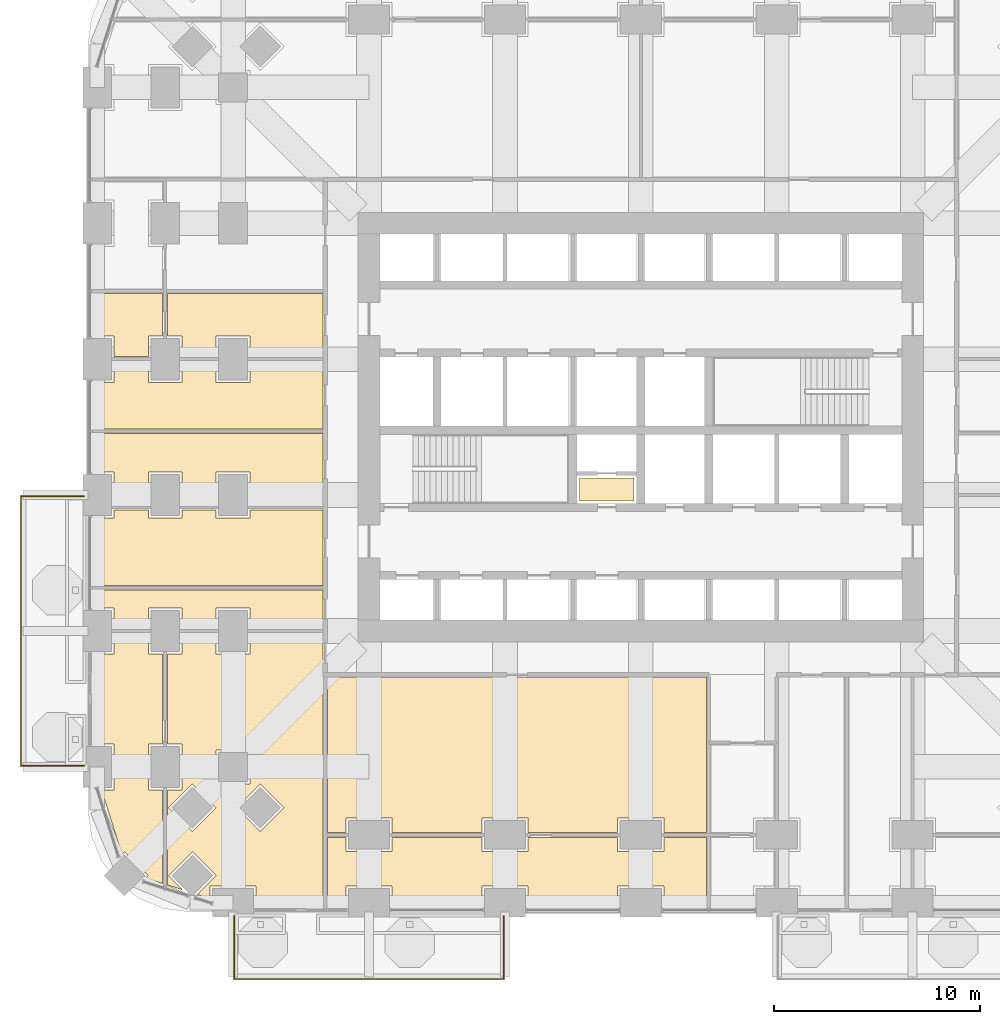
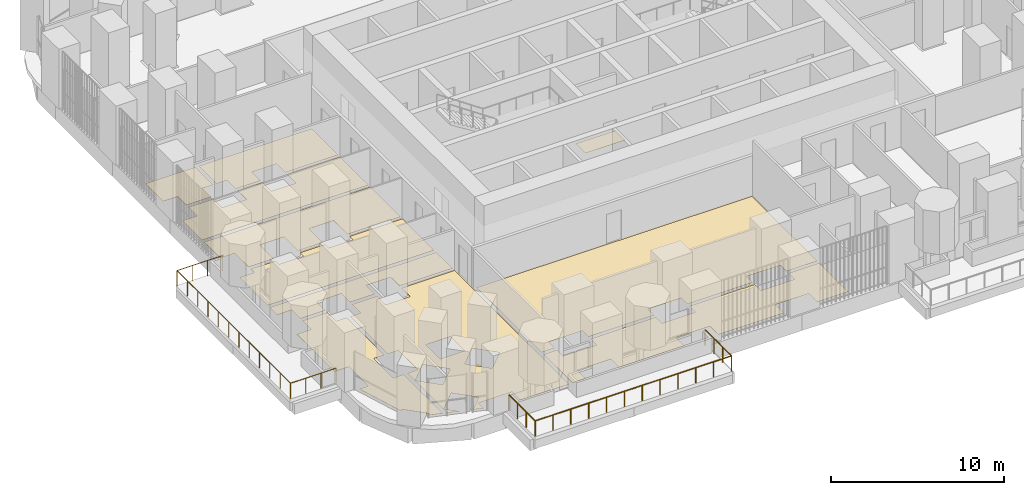
# One storey, part 21 of 25: 11 coverings, 2 railings.
"""IFC4 building model written with IfcOpenShell, lengths in metres."""

from ifc_helpers import new_model, si_unit, direction, frame, origin, place, context, subcontext, project, spatial, polyline, outline, extrude, material, layer, layer_set, type_object, element, save


model = new_model("IFC4")

# Units and contexts
model_context = context("Model", 3, precision=1e-05, world=origin(), true_north=direction((0.0, 1.0)))
body_context = subcontext(model_context, "Body", "Model", "MODEL_VIEW")
ifc_project = project(units=[si_unit("LENGTHUNIT", "METRE"), si_unit("AREAUNIT", "SQUARE_METRE"), si_unit("VOLUMEUNIT", "CUBIC_METRE"), si_unit("PLANEANGLEUNIT", "RADIAN"), si_unit("MASSUNIT", "GRAM", prefix="KILO")], contexts=[model_context])

# Site, building, storey
site_placement = place(None, origin())
site = spatial("IfcSite", under=ifc_project, at=site_placement, CompositionType="ELEMENT")
building_placement = place(site_placement, origin())
building = spatial("IfcBuilding", under=site, at=building_placement, Name="Cobogo Forest Laboratory Tower", CompositionType="ELEMENT")
storey_placement = place(building_placement, frame((0.0, 0.0, 21.300048828125)))
storey = spatial("IfcBuildingStorey", under=building, at=storey_placement, Name="L04", CompositionType="ELEMENT", Elevation=21.300048828125)

# Railings
ifc_material_1 = material(Name="Laminated glass balustrade", Category="glass")
railing_type = type_object("IfcRailingType", Name="BG1 glass balustrade 1100", PredefinedType="GUARDRAIL", material=ifc_material_1)
railing_1_placement = place(storey_placement, frame((6.64990234375, -0.64990234375, 0.0)))
element("IfcRailing", 1, at=railing_1_placement, inside=storey, type_object=railing_type, Name="Balcony balustrade BAL-S1 L04", PredefinedType="GUARDRAIL", context=body_context, shape_type="SweptSolid", body=[
    extrude(outline(polyline([(0.022216796875, 0.00927734375), (0.00927734375, 0.022216796875), (-0.00927734375, 0.022216796875), (-0.022216796875, 0.00927734375), (-0.022216796875, -0.00927734375), (-0.00927734375, -0.022216796875), (0.00927734375, -0.022216796875), (0.022216796875, -0.00927734375), (0.022216796875, 0.00927734375)])), frame((0.0, 0.0, 1.077880859375), z_axis=(0.0, -1.0, 0.0), x_axis=(1.0, 0.0, 0.0)), (0.0, 0.0, 1.0), 3.050048828125),
    extrude(outline(polyline([(0.022216796875, 0.00927734375), (0.00927734375, 0.022216796875), (-0.00927734375, 0.022216796875), (-0.022216796875, 0.00927734375), (-0.022216796875, -0.00927734375), (-0.00927734375, -0.022216796875), (0.00927734375, -0.022216796875), (0.022216796875, -0.00927734375), (0.022216796875, 0.00927734375)])), frame((0.0, -3.050048828125, 1.077880859375), z_axis=(1.0, 0.0, 0.0), x_axis=(0.0, 1.0, 0.0)), (0.0, 0.0, 1.0), 13.10009765625),
    extrude(outline(polyline([(0.022216796875, 0.00927734375), (0.00927734375, 0.022216796875), (-0.00927734375, 0.022216796875), (-0.022216796875, 0.00927734375), (-0.022216796875, -0.00927734375), (-0.00927734375, -0.022216796875), (0.00927734375, -0.022216796875), (0.022216796875, -0.00927734375), (0.022216796875, 0.00927734375)])), frame((13.10009765625, -3.050048828125, 1.077880859375), z_axis=(0.0, 1.0, 0.0), x_axis=(-1.0, 0.0, 0.0)), (0.0, 0.0, 1.0), 3.050048828125),
    extrude(outline(polyline([(0.019287109375, 0.008056640625), (0.008056640625, 0.019287109375), (-0.008056640625, 0.019287109375), (-0.019287109375, 0.008056640625), (-0.019287109375, -0.008056640625), (-0.008056640625, -0.019287109375), (0.008056640625, -0.019287109375), (0.019287109375, -0.008056640625), (0.019287109375, 0.008056640625)])), origin(), (0.0, 0.0, 1.0), 1.077880859375),
    extrude(outline(polyline([(0.019287109375, 0.008056640625), (0.008056640625, 0.019287109375), (-0.008056640625, 0.019287109375), (-0.019287109375, 0.008056640625), (-0.019287109375, -0.008056640625), (-0.008056640625, -0.019287109375), (0.008056640625, -0.019287109375), (0.019287109375, -0.008056640625), (0.019287109375, 0.008056640625)])), frame((0.0, -1.0166015625, 0.0)), (0.0, 0.0, 1.0), 1.077880859375),
    extrude(outline(polyline([(0.019287109375, 0.008056640625), (0.008056640625, 0.019287109375), (-0.008056640625, 0.019287109375), (-0.019287109375, 0.008056640625), (-0.019287109375, -0.008056640625), (-0.008056640625, -0.019287109375), (0.008056640625, -0.019287109375), (0.019287109375, -0.008056640625), (0.019287109375, 0.008056640625)])), frame((0.0, -2.033447265625, 0.0)), (0.0, 0.0, 1.0), 1.077880859375),
    extrude(outline(polyline([(0.019287109375, 0.008056640625), (0.008056640625, 0.019287109375), (-0.008056640625, 0.019287109375), (-0.019287109375, 0.008056640625), (-0.019287109375, -0.008056640625), (-0.008056640625, -0.019287109375), (0.008056640625, -0.019287109375), (0.019287109375, -0.008056640625), (0.019287109375, 0.008056640625)])), frame((0.0, -3.050048828125, 0.0)), (0.0, 0.0, 1.0), 1.077880859375),
    extrude(outline(polyline([(0.019287109375, 0.008056640625), (0.008056640625, 0.019287109375), (-0.008056640625, 0.019287109375), (-0.019287109375, 0.008056640625), (-0.019287109375, -0.008056640625), (-0.008056640625, -0.019287109375), (0.008056640625, -0.019287109375), (0.019287109375, -0.008056640625), (0.019287109375, 0.008056640625)])), frame((1.19091796875, -3.050048828125, 0.0)), (0.0, 0.0, 1.0), 1.077880859375),
    extrude(outline(polyline([(0.019287109375, 0.008056640625), (0.008056640625, 0.019287109375), (-0.008056640625, 0.019287109375), (-0.019287109375, 0.008056640625), (-0.019287109375, -0.008056640625), (-0.008056640625, -0.019287109375), (0.008056640625, -0.019287109375), (0.019287109375, -0.008056640625), (0.019287109375, 0.008056640625)])), frame((2.3818359375, -3.050048828125, 0.0)), (0.0, 0.0, 1.0), 1.077880859375),
    extrude(outline(polyline([(0.019287109375, 0.008056640625), (0.008056640625, 0.019287109375), (-0.008056640625, 0.019287109375), (-0.019287109375, 0.008056640625), (-0.019287109375, -0.008056640625), (-0.008056640625, -0.019287109375), (0.008056640625, -0.019287109375), (0.019287109375, -0.008056640625), (0.019287109375, 0.008056640625)])), frame((3.57275390625, -3.050048828125, 0.0)), (0.0, 0.0, 1.0), 1.077880859375),
    extrude(outline(polyline([(0.019287109375, 0.008056640625), (0.008056640625, 0.019287109375), (-0.008056640625, 0.019287109375), (-0.019287109375, 0.008056640625), (-0.019287109375, -0.008056640625), (-0.008056640625, -0.019287109375), (0.008056640625, -0.019287109375), (0.019287109375, -0.008056640625), (0.019287109375, 0.008056640625)])), frame((4.763671875, -3.050048828125, 0.0)), (0.0, 0.0, 1.0), 1.077880859375),
    extrude(outline(polyline([(0.019287109375, 0.008056640625), (0.008056640625, 0.019287109375), (-0.008056640625, 0.019287109375), (-0.019287109375, 0.008056640625), (-0.019287109375, -0.008056640625), (-0.008056640625, -0.019287109375), (0.008056640625, -0.019287109375), (0.019287109375, -0.008056640625), (0.019287109375, 0.008056640625)])), frame((5.95458984375, -3.050048828125, 0.0)), (0.0, 0.0, 1.0), 1.077880859375),
    extrude(outline(polyline([(0.019287109375, 0.008056640625), (0.008056640625, 0.019287109375), (-0.008056640625, 0.019287109375), (-0.019287109375, 0.008056640625), (-0.019287109375, -0.008056640625), (-0.008056640625, -0.019287109375), (0.008056640625, -0.019287109375), (0.019287109375, -0.008056640625), (0.019287109375, 0.008056640625)])), frame((7.1455078125, -3.050048828125, 0.0)), (0.0, 0.0, 1.0), 1.077880859375),
    extrude(outline(polyline([(0.019287109375, 0.008056640625), (0.008056640625, 0.019287109375), (-0.008056640625, 0.019287109375), (-0.019287109375, 0.008056640625), (-0.019287109375, -0.008056640625), (-0.008056640625, -0.019287109375), (0.008056640625, -0.019287109375), (0.019287109375, -0.008056640625), (0.019287109375, 0.008056640625)])), frame((8.33642578125, -3.050048828125, 0.0)), (0.0, 0.0, 1.0), 1.077880859375),
    extrude(outline(polyline([(0.019287109375, 0.008056640625), (0.008056640625, 0.019287109375), (-0.008056640625, 0.019287109375), (-0.019287109375, 0.008056640625), (-0.019287109375, -0.008056640625), (-0.008056640625, -0.019287109375), (0.008056640625, -0.019287109375), (0.019287109375, -0.008056640625), (0.019287109375, 0.008056640625)])), frame((9.52734375, -3.050048828125, 0.0)), (0.0, 0.0, 1.0), 1.077880859375),
    extrude(outline(polyline([(0.019287109375, 0.008056640625), (0.008056640625, 0.019287109375), (-0.008056640625, 0.019287109375), (-0.019287109375, 0.008056640625), (-0.019287109375, -0.008056640625), (-0.008056640625, -0.019287109375), (0.008056640625, -0.019287109375), (0.019287109375, -0.008056640625), (0.019287109375, 0.008056640625)])), frame((10.71826171875, -3.050048828125, 0.0)), (0.0, 0.0, 1.0), 1.077880859375),
    extrude(outline(polyline([(0.019287109375, 0.008056640625), (0.008056640625, 0.019287109375), (-0.008056640625, 0.019287109375), (-0.019287109375, 0.008056640625), (-0.019287109375, -0.008056640625), (-0.008056640625, -0.019287109375), (0.008056640625, -0.019287109375), (0.019287109375, -0.008056640625), (0.019287109375, 0.008056640625)])), frame((11.9091796875, -3.050048828125, 0.0)), (0.0, 0.0, 1.0), 1.077880859375),
    extrude(outline(polyline([(0.019287109375, 0.008056640625), (0.008056640625, 0.019287109375), (-0.008056640625, 0.019287109375), (-0.019287109375, 0.008056640625), (-0.019287109375, -0.008056640625), (-0.008056640625, -0.019287109375), (0.008056640625, -0.019287109375), (0.019287109375, -0.008056640625), (0.019287109375, 0.008056640625)])), frame((13.10009765625, -3.050048828125, 0.0)), (0.0, 0.0, 1.0), 1.077880859375),
    extrude(outline(polyline([(0.019287109375, 0.008056640625), (0.008056640625, 0.019287109375), (-0.008056640625, 0.019287109375), (-0.019287109375, 0.008056640625), (-0.019287109375, -0.008056640625), (-0.008056640625, -0.019287109375), (0.008056640625, -0.019287109375), (0.019287109375, -0.008056640625), (0.019287109375, 0.008056640625)])), frame((13.10009765625, -2.033447265625, 0.0)), (0.0, 0.0, 1.0), 1.077880859375),
    extrude(outline(polyline([(0.019287109375, 0.008056640625), (0.008056640625, 0.019287109375), (-0.008056640625, 0.019287109375), (-0.019287109375, 0.008056640625), (-0.019287109375, -0.008056640625), (-0.008056640625, -0.019287109375), (0.008056640625, -0.019287109375), (0.019287109375, -0.008056640625), (0.019287109375, 0.008056640625)])), frame((13.10009765625, -1.0166015625, 0.0)), (0.0, 0.0, 1.0), 1.077880859375),
    extrude(outline(polyline([(0.019287109375, 0.008056640625), (0.008056640625, 0.019287109375), (-0.008056640625, 0.019287109375), (-0.019287109375, 0.008056640625), (-0.019287109375, -0.008056640625), (-0.008056640625, -0.019287109375), (0.008056640625, -0.019287109375), (0.019287109375, -0.008056640625), (0.019287109375, 0.008056640625)])), frame((13.10009765625, 0.0, 0.0)), (0.0, 0.0, 1.0), 1.077880859375),
])
railing_2_placement = place(storey_placement, frame((-0.64990234375, 6.64990234375, 0.0)))
element("IfcRailing", 2, at=railing_2_placement, inside=storey, type_object=railing_type, Name="Balcony balustrade BAL-W1 L04", PredefinedType="GUARDRAIL", context=body_context, shape_type="SweptSolid", body=[
    extrude(outline(polyline([(0.022216796875, 0.00927734375), (0.00927734375, 0.022216796875), (-0.00927734375, 0.022216796875), (-0.022216796875, 0.00927734375), (-0.022216796875, -0.00927734375), (-0.00927734375, -0.022216796875), (0.00927734375, -0.022216796875), (0.022216796875, -0.00927734375), (0.022216796875, 0.00927734375)])), frame((0.0, 0.0, 1.077880859375), z_axis=(-1.0, 0.0, 0.0), x_axis=(0.0, -1.0, 0.0)), (0.0, 0.0, 1.0), 3.050048828125),
    extrude(outline(polyline([(0.022216796875, 0.00927734375), (0.00927734375, 0.022216796875), (-0.00927734375, 0.022216796875), (-0.022216796875, 0.00927734375), (-0.022216796875, -0.00927734375), (-0.00927734375, -0.022216796875), (0.00927734375, -0.022216796875), (0.022216796875, -0.00927734375), (0.022216796875, 0.00927734375)])), frame((-3.050048828125, 0.0, 1.077880859375), z_axis=(0.0, 1.0, 0.0), x_axis=(-1.0, 0.0, 0.0)), (0.0, 0.0, 1.0), 13.10009765625),
    extrude(outline(polyline([(0.022216796875, 0.00927734375), (0.00927734375, 0.022216796875), (-0.00927734375, 0.022216796875), (-0.022216796875, 0.00927734375), (-0.022216796875, -0.00927734375), (-0.00927734375, -0.022216796875), (0.00927734375, -0.022216796875), (0.022216796875, -0.00927734375), (0.022216796875, 0.00927734375)])), frame((-3.050048828125, 13.10009765625, 1.077880859375), z_axis=(1.0, 0.0, 0.0), x_axis=(0.0, 1.0, 0.0)), (0.0, 0.0, 1.0), 3.050048828125),
    extrude(outline(polyline([(0.019287109375, 0.008056640625), (0.008056640625, 0.019287109375), (-0.008056640625, 0.019287109375), (-0.019287109375, 0.008056640625), (-0.019287109375, -0.008056640625), (-0.008056640625, -0.019287109375), (0.008056640625, -0.019287109375), (0.019287109375, -0.008056640625), (0.019287109375, 0.008056640625)])), origin(), (0.0, 0.0, 1.0), 1.077880859375),
    extrude(outline(polyline([(0.019287109375, 0.008056640625), (0.008056640625, 0.019287109375), (-0.008056640625, 0.019287109375), (-0.019287109375, 0.008056640625), (-0.019287109375, -0.008056640625), (-0.008056640625, -0.019287109375), (0.008056640625, -0.019287109375), (0.019287109375, -0.008056640625), (0.019287109375, 0.008056640625)])), frame((-1.0166015625, 0.0, 0.0)), (0.0, 0.0, 1.0), 1.077880859375),
    extrude(outline(polyline([(0.019287109375, 0.008056640625), (0.008056640625, 0.019287109375), (-0.008056640625, 0.019287109375), (-0.019287109375, 0.008056640625), (-0.019287109375, -0.008056640625), (-0.008056640625, -0.019287109375), (0.008056640625, -0.019287109375), (0.019287109375, -0.008056640625), (0.019287109375, 0.008056640625)])), frame((-2.033447265625, 0.0, 0.0)), (0.0, 0.0, 1.0), 1.077880859375),
    extrude(outline(polyline([(0.019287109375, 0.008056640625), (0.008056640625, 0.019287109375), (-0.008056640625, 0.019287109375), (-0.019287109375, 0.008056640625), (-0.019287109375, -0.008056640625), (-0.008056640625, -0.019287109375), (0.008056640625, -0.019287109375), (0.019287109375, -0.008056640625), (0.019287109375, 0.008056640625)])), frame((-3.050048828125, 0.0, 0.0)), (0.0, 0.0, 1.0), 1.077880859375),
    extrude(outline(polyline([(0.019287109375, 0.008056640625), (0.008056640625, 0.019287109375), (-0.008056640625, 0.019287109375), (-0.019287109375, 0.008056640625), (-0.019287109375, -0.008056640625), (-0.008056640625, -0.019287109375), (0.008056640625, -0.019287109375), (0.019287109375, -0.008056640625), (0.019287109375, 0.008056640625)])), frame((-3.050048828125, 1.19091796875, 0.0)), (0.0, 0.0, 1.0), 1.077880859375),
    extrude(outline(polyline([(0.019287109375, 0.008056640625), (0.008056640625, 0.019287109375), (-0.008056640625, 0.019287109375), (-0.019287109375, 0.008056640625), (-0.019287109375, -0.008056640625), (-0.008056640625, -0.019287109375), (0.008056640625, -0.019287109375), (0.019287109375, -0.008056640625), (0.019287109375, 0.008056640625)])), frame((-3.050048828125, 2.3818359375, 0.0)), (0.0, 0.0, 1.0), 1.077880859375),
    extrude(outline(polyline([(0.019287109375, 0.008056640625), (0.008056640625, 0.019287109375), (-0.008056640625, 0.019287109375), (-0.019287109375, 0.008056640625), (-0.019287109375, -0.008056640625), (-0.008056640625, -0.019287109375), (0.008056640625, -0.019287109375), (0.019287109375, -0.008056640625), (0.019287109375, 0.008056640625)])), frame((-3.050048828125, 3.57275390625, 0.0)), (0.0, 0.0, 1.0), 1.077880859375),
    extrude(outline(polyline([(0.019287109375, 0.008056640625), (0.008056640625, 0.019287109375), (-0.008056640625, 0.019287109375), (-0.019287109375, 0.008056640625), (-0.019287109375, -0.008056640625), (-0.008056640625, -0.019287109375), (0.008056640625, -0.019287109375), (0.019287109375, -0.008056640625), (0.019287109375, 0.008056640625)])), frame((-3.050048828125, 4.763671875, 0.0)), (0.0, 0.0, 1.0), 1.077880859375),
    extrude(outline(polyline([(0.019287109375, 0.008056640625), (0.008056640625, 0.019287109375), (-0.008056640625, 0.019287109375), (-0.019287109375, 0.008056640625), (-0.019287109375, -0.008056640625), (-0.008056640625, -0.019287109375), (0.008056640625, -0.019287109375), (0.019287109375, -0.008056640625), (0.019287109375, 0.008056640625)])), frame((-3.050048828125, 5.95458984375, 0.0)), (0.0, 0.0, 1.0), 1.077880859375),
    extrude(outline(polyline([(0.019287109375, 0.008056640625), (0.008056640625, 0.019287109375), (-0.008056640625, 0.019287109375), (-0.019287109375, 0.008056640625), (-0.019287109375, -0.008056640625), (-0.008056640625, -0.019287109375), (0.008056640625, -0.019287109375), (0.019287109375, -0.008056640625), (0.019287109375, 0.008056640625)])), frame((-3.050048828125, 7.1455078125, 0.0)), (0.0, 0.0, 1.0), 1.077880859375),
    extrude(outline(polyline([(0.019287109375, 0.008056640625), (0.008056640625, 0.019287109375), (-0.008056640625, 0.019287109375), (-0.019287109375, 0.008056640625), (-0.019287109375, -0.008056640625), (-0.008056640625, -0.019287109375), (0.008056640625, -0.019287109375), (0.019287109375, -0.008056640625), (0.019287109375, 0.008056640625)])), frame((-3.050048828125, 8.33642578125, 0.0)), (0.0, 0.0, 1.0), 1.077880859375),
    extrude(outline(polyline([(0.019287109375, 0.008056640625), (0.008056640625, 0.019287109375), (-0.008056640625, 0.019287109375), (-0.019287109375, 0.008056640625), (-0.019287109375, -0.008056640625), (-0.008056640625, -0.019287109375), (0.008056640625, -0.019287109375), (0.019287109375, -0.008056640625), (0.019287109375, 0.008056640625)])), frame((-3.050048828125, 9.52734375, 0.0)), (0.0, 0.0, 1.0), 1.077880859375),
    extrude(outline(polyline([(0.019287109375, 0.008056640625), (0.008056640625, 0.019287109375), (-0.008056640625, 0.019287109375), (-0.019287109375, 0.008056640625), (-0.019287109375, -0.008056640625), (-0.008056640625, -0.019287109375), (0.008056640625, -0.019287109375), (0.019287109375, -0.008056640625), (0.019287109375, 0.008056640625)])), frame((-3.050048828125, 10.71826171875, 0.0)), (0.0, 0.0, 1.0), 1.077880859375),
    extrude(outline(polyline([(0.019287109375, 0.008056640625), (0.008056640625, 0.019287109375), (-0.008056640625, 0.019287109375), (-0.019287109375, 0.008056640625), (-0.019287109375, -0.008056640625), (-0.008056640625, -0.019287109375), (0.008056640625, -0.019287109375), (0.019287109375, -0.008056640625), (0.019287109375, 0.008056640625)])), frame((-3.050048828125, 11.9091796875, 0.0)), (0.0, 0.0, 1.0), 1.077880859375),
    extrude(outline(polyline([(0.019287109375, 0.008056640625), (0.008056640625, 0.019287109375), (-0.008056640625, 0.019287109375), (-0.019287109375, 0.008056640625), (-0.019287109375, -0.008056640625), (-0.008056640625, -0.019287109375), (0.008056640625, -0.019287109375), (0.019287109375, -0.008056640625), (0.019287109375, 0.008056640625)])), frame((-3.050048828125, 13.10009765625, 0.0)), (0.0, 0.0, 1.0), 1.077880859375),
    extrude(outline(polyline([(0.019287109375, 0.008056640625), (0.008056640625, 0.019287109375), (-0.008056640625, 0.019287109375), (-0.019287109375, 0.008056640625), (-0.019287109375, -0.008056640625), (-0.008056640625, -0.019287109375), (0.008056640625, -0.019287109375), (0.019287109375, -0.008056640625), (0.019287109375, 0.008056640625)])), frame((-2.033447265625, 13.10009765625, 0.0)), (0.0, 0.0, 1.0), 1.077880859375),
    extrude(outline(polyline([(0.019287109375, 0.008056640625), (0.008056640625, 0.019287109375), (-0.008056640625, 0.019287109375), (-0.019287109375, 0.008056640625), (-0.019287109375, -0.008056640625), (-0.008056640625, -0.019287109375), (0.008056640625, -0.019287109375), (0.019287109375, -0.008056640625), (0.019287109375, 0.008056640625)])), frame((-1.0166015625, 13.10009765625, 0.0)), (0.0, 0.0, 1.0), 1.077880859375),
    extrude(outline(polyline([(0.019287109375, 0.008056640625), (0.008056640625, 0.019287109375), (-0.008056640625, 0.019287109375), (-0.019287109375, 0.008056640625), (-0.019287109375, -0.008056640625), (-0.008056640625, -0.019287109375), (0.008056640625, -0.019287109375), (0.019287109375, -0.008056640625), (0.019287109375, 0.008056640625)])), frame((0.0, 13.10009765625, 0.0)), (0.0, 0.0, 1.0), 1.077880859375),
])

# Coverings
ifc_material_2 = material(Name="Carpet tile on raised access floor", Category="flooring")
ifc_layer_1 = layer(ifc_material_2, 0.008056640625)
ifc_layer_set_1 = layer_set([ifc_layer_1], Name="CT1 carpet tile floor 8")
covering_type_1 = type_object("IfcCoveringType", Name="CT1 carpet tile floor 8", PredefinedType="FLOORING", material=ifc_layer_set_1)
covering_1_placement = place(storey_placement, origin())
element("IfcCovering", 3, at=covering_1_placement, inside=storey, type_object=covering_type_1, Name="Carpet floor L04-02", PredefinedType="FLOORING", context=body_context, shape_type="SweptSolid", body=[
    extrude(outline(polyline([(12.080078125, 3.179931640625), (12.080078125, 2.47998046875), (14.320068359375, 2.47998046875), (14.320068359375, 3.179931640625), (18.679931640625, 3.179931640625), (18.679931640625, 2.47998046875), (20.919921875, 2.47998046875), (20.919921875, 3.179931640625), (25.280029296875, 3.179931640625), (25.280029296875, 2.47998046875), (27.52001953125, 2.47998046875), (27.52001953125, 3.179931640625), (29.580078125, 3.179931640625), (29.580078125, -0.14990234375), (27.52001953125, -0.14990234375), (27.52001953125, 0.820068359375), (25.280029296875, 0.820068359375), (25.280029296875, -0.14990234375), (20.919921875, -0.14990234375), (20.919921875, 0.820068359375), (18.679931640625, 0.820068359375), (18.679931640625, -0.14990234375), (14.320068359375, -0.14990234375), (14.320068359375, 0.820068359375), (12.080078125, 0.820068359375), (12.080078125, -0.14990234375), (11.195068359375, -0.14990234375), (11.195068359375, 3.179931640625), (12.080078125, 3.179931640625)])), origin(), (0.0, 0.0, 1.0), 0.008056640625),
])
covering_2_placement = place(storey_placement, origin())
element("IfcCovering", 4, at=covering_2_placement, inside=storey, type_object=covering_type_1, Name="Carpet floor L04-20", PredefinedType="FLOORING", context=body_context, shape_type="SweptSolid", body=[
    extrude(outline(polyline([(3.179931640625, 7.719970703125), (2.47998046875, 7.719970703125), (2.47998046875, 5.47998046875), (3.179931640625, 5.47998046875), (3.179931640625, 0.939697265625), (2.358642578125, 1.19921875), (2.477783203125, 1.318115234375), (1.318115234375, 2.477783203125), (1.19921875, 2.358642578125), (0.21337890625, 5.47998046875), (0.820068359375, 5.47998046875), (0.820068359375, 7.719970703125), (-0.14990234375, 7.719970703125), (-0.14990234375, 12.080078125), (0.820068359375, 12.080078125), (0.820068359375, 13.080078125), (2.47998046875, 13.080078125), (2.47998046875, 12.080078125), (3.179931640625, 12.080078125), (3.179931640625, 7.719970703125)])), origin(), (0.0, 0.0, 1.0), 0.008056640625),
])
covering_3_placement = place(storey_placement, origin())
element("IfcCovering", 5, at=covering_3_placement, inside=storey, type_object=covering_type_1, Name="Carpet floor L04-26", PredefinedType="FLOORING", context=body_context, shape_type="SweptSolid", body=[
    extrude(outline(polyline([(3.179931640625, 27.52001953125), (2.47998046875, 27.52001953125), (2.47998046875, 26.52001953125), (0.820068359375, 26.52001953125), (0.820068359375, 27.52001953125), (-0.14990234375, 27.52001953125), (-0.14990234375, 29.580078125), (3.179931640625, 29.580078125), (3.179931640625, 27.52001953125)])), origin(), (0.0, 0.0, 1.0), 0.008056640625),
])
covering_4_placement = place(storey_placement, origin())
element("IfcCovering", 6, at=covering_4_placement, inside=storey, type_object=covering_type_1, Name="Carpet floor L04-34", PredefinedType="FLOORING", context=body_context, shape_type="SweptSolid", body=[
    extrude(outline(polyline([(26.080078125, 19.52001953125), (23.419921875, 19.52001953125), (23.419921875, 20.6298828125), (26.080078125, 20.6298828125), (26.080078125, 19.52001953125)])), origin(), (0.0, 0.0, 1.0), 0.008056640625),
])
ifc_material_3 = material(Name="Epoxy resin flooring", Category="flooring")
ifc_layer_2 = layer(ifc_material_3, 0.00390625)
ifc_layer_set_2 = layer_set([ifc_layer_2], Name="LF1 epoxy laboratory floor 4")
covering_type_2 = type_object("IfcCoveringType", Name="LF1 epoxy laboratory floor 4", PredefinedType="FLOORING", material=ifc_layer_set_2)
covering_5_placement = place(storey_placement, origin())
element("IfcCovering", 7, at=covering_5_placement, inside=storey, type_object=covering_type_2, Name="Epoxy laboratory floor L04-01", PredefinedType="FLOORING", context=body_context, shape_type="SweptSolid", body=[
    extrude(outline(polyline([(11.195068359375, 10.955078125), (29.580078125, 10.955078125), (29.580078125, 3.419921875), (27.52001953125, 3.419921875), (27.52001953125, 4.1201171875), (25.280029296875, 4.1201171875), (25.280029296875, 3.419921875), (20.919921875, 3.419921875), (20.919921875, 4.1201171875), (18.679931640625, 4.1201171875), (18.679931640625, 3.419921875), (14.320068359375, 3.419921875), (14.320068359375, 4.1201171875), (12.080078125, 4.1201171875), (12.080078125, 3.419921875), (11.195068359375, 3.419921875), (11.195068359375, 10.955078125)])), origin(), (0.0, 0.0, 1.0), 0.00390625),
])
covering_6_placement = place(storey_placement, origin())
element("IfcCovering", 8, at=covering_6_placement, inside=storey, type_object=covering_type_2, Name="Epoxy laboratory floor L04-19", PredefinedType="FLOORING", context=body_context, shape_type="SweptSolid", body=[
    extrude(outline(polyline([(5.780029296875, 13.080078125), (5.780029296875, 12.080078125), (7.419921875, 12.080078125), (7.419921875, 13.080078125), (10.955078125, 13.080078125), (10.955078125, -0.14990234375), (7.719970703125, -0.14990234375), (7.719970703125, 0.820068359375), (5.47998046875, 0.820068359375), (5.47998046875, 0.21337890625), (4.86669921875, 0.406982421875), (5.777587890625, 1.318115234375), (4.617919921875, 2.477783203125), (3.458251953125, 1.318115234375), (4.1396484375, 0.63671875), (3.419921875, 0.864013671875), (3.419921875, 5.47998046875), (4.1201171875, 5.47998046875), (4.1201171875, 7.719970703125), (3.419921875, 7.719970703125), (3.419921875, 12.080078125), (4.1201171875, 12.080078125), (4.1201171875, 13.080078125), (5.780029296875, 13.080078125)]), holes=[polyline([(7.91796875, 5.777587890625), (6.75830078125, 4.617919921875), (7.91796875, 3.458251953125), (9.07763671875, 4.617919921875), (7.91796875, 5.777587890625)]), polyline([(5.780029296875, 7.419921875), (5.780029296875, 5.780029296875), (7.419921875, 5.780029296875), (7.419921875, 7.419921875), (5.780029296875, 7.419921875)]), polyline([(3.458251953125, 4.617919921875), (4.617919921875, 3.458251953125), (5.777587890625, 4.617919921875), (4.617919921875, 5.777587890625), (3.458251953125, 4.617919921875)])]), origin(), (0.0, 0.0, 1.0), 0.00390625),
])
covering_7_placement = place(storey_placement, origin())
element("IfcCovering", 9, at=covering_7_placement, inside=storey, type_object=covering_type_2, Name="Epoxy laboratory floor L04-25", PredefinedType="FLOORING", context=body_context, shape_type="SweptSolid", body=[
    extrude(outline(polyline([(3.419921875, 29.580078125), (10.955078125, 29.580078125), (10.955078125, 26.52001953125), (7.419921875, 26.52001953125), (7.419921875, 27.52001953125), (5.780029296875, 27.52001953125), (5.780029296875, 26.52001953125), (4.1201171875, 26.52001953125), (4.1201171875, 27.52001953125), (3.419921875, 27.52001953125), (3.419921875, 29.580078125)])), origin(), (0.0, 0.0, 1.0), 0.00390625),
])
ifc_material_4 = material(Name="Ceramic floor tile", Category="flooring")
ifc_layer_3 = layer(ifc_material_4, 0.010009765625)
ifc_layer_set_3 = layer_set([ifc_layer_3], Name="TF1 ceramic tile floor 10")
covering_type_3 = type_object("IfcCoveringType", Name="TF1 ceramic tile floor 10", PredefinedType="FLOORING", material=ifc_layer_set_3)
covering_8_placement = place(storey_placement, origin())
element("IfcCovering", 10, at=covering_8_placement, inside=storey, type_object=covering_type_3, Name="Tile floor L04-21", PredefinedType="FLOORING", context=body_context, shape_type="SweptSolid", body=[
    extrude(outline(polyline([(10.955078125, 13.320068359375), (7.419921875, 13.320068359375), (7.419921875, 14.320068359375), (5.780029296875, 14.320068359375), (5.780029296875, 13.320068359375), (4.1201171875, 13.320068359375), (4.1201171875, 14.320068359375), (2.47998046875, 14.320068359375), (2.47998046875, 13.320068359375), (0.820068359375, 13.320068359375), (0.820068359375, 14.320068359375), (-0.14990234375, 14.320068359375), (-0.14990234375, 15.179931640625), (10.955078125, 15.179931640625), (10.955078125, 13.320068359375)])), origin(), (0.0, 0.0, 1.0), 0.010009765625),
])
covering_9_placement = place(storey_placement, origin())
element("IfcCovering", 11, at=covering_9_placement, inside=storey, type_object=covering_type_3, Name="Tile floor L04-22", PredefinedType="FLOORING", context=body_context, shape_type="SweptSolid", body=[
    extrude(outline(polyline([(10.955078125, 15.419921875), (-0.14990234375, 15.419921875), (-0.14990234375, 18.679931640625), (0.820068359375, 18.679931640625), (0.820068359375, 19.080078125), (2.47998046875, 19.080078125), (2.47998046875, 18.679931640625), (4.1201171875, 18.679931640625), (4.1201171875, 19.080078125), (5.780029296875, 19.080078125), (5.780029296875, 18.679931640625), (7.419921875, 18.679931640625), (7.419921875, 19.080078125), (10.955078125, 19.080078125), (10.955078125, 15.419921875)])), origin(), (0.0, 0.0, 1.0), 0.010009765625),
])
covering_10_placement = place(storey_placement, origin())
element("IfcCovering", 12, at=covering_10_placement, inside=storey, type_object=covering_type_3, Name="Tile floor L04-23", PredefinedType="FLOORING", context=body_context, shape_type="SweptSolid", body=[
    extrude(outline(polyline([(10.955078125, 19.320068359375), (7.419921875, 19.320068359375), (7.419921875, 20.919921875), (5.780029296875, 20.919921875), (5.780029296875, 19.320068359375), (4.1201171875, 19.320068359375), (4.1201171875, 20.919921875), (2.47998046875, 20.919921875), (2.47998046875, 19.320068359375), (0.820068359375, 19.320068359375), (0.820068359375, 20.919921875), (-0.14990234375, 20.919921875), (-0.14990234375, 22.780029296875), (10.955078125, 22.780029296875), (10.955078125, 19.320068359375)])), origin(), (0.0, 0.0, 1.0), 0.010009765625),
])
covering_11_placement = place(storey_placement, origin())
element("IfcCovering", 13, at=covering_11_placement, inside=storey, type_object=covering_type_3, Name="Tile floor L04-24", PredefinedType="FLOORING", context=body_context, shape_type="SweptSolid", body=[
    extrude(outline(polyline([(10.955078125, 23.02001953125), (-0.14990234375, 23.02001953125), (-0.14990234375, 25.280029296875), (0.820068359375, 25.280029296875), (0.820068359375, 26.280029296875), (2.47998046875, 26.280029296875), (2.47998046875, 25.280029296875), (4.1201171875, 25.280029296875), (4.1201171875, 26.280029296875), (5.780029296875, 26.280029296875), (5.780029296875, 25.280029296875), (7.419921875, 25.280029296875), (7.419921875, 26.280029296875), (10.955078125, 26.280029296875), (10.955078125, 23.02001953125)])), origin(), (0.0, 0.0, 1.0), 0.010009765625),
])

save(model, "model.ifc")
